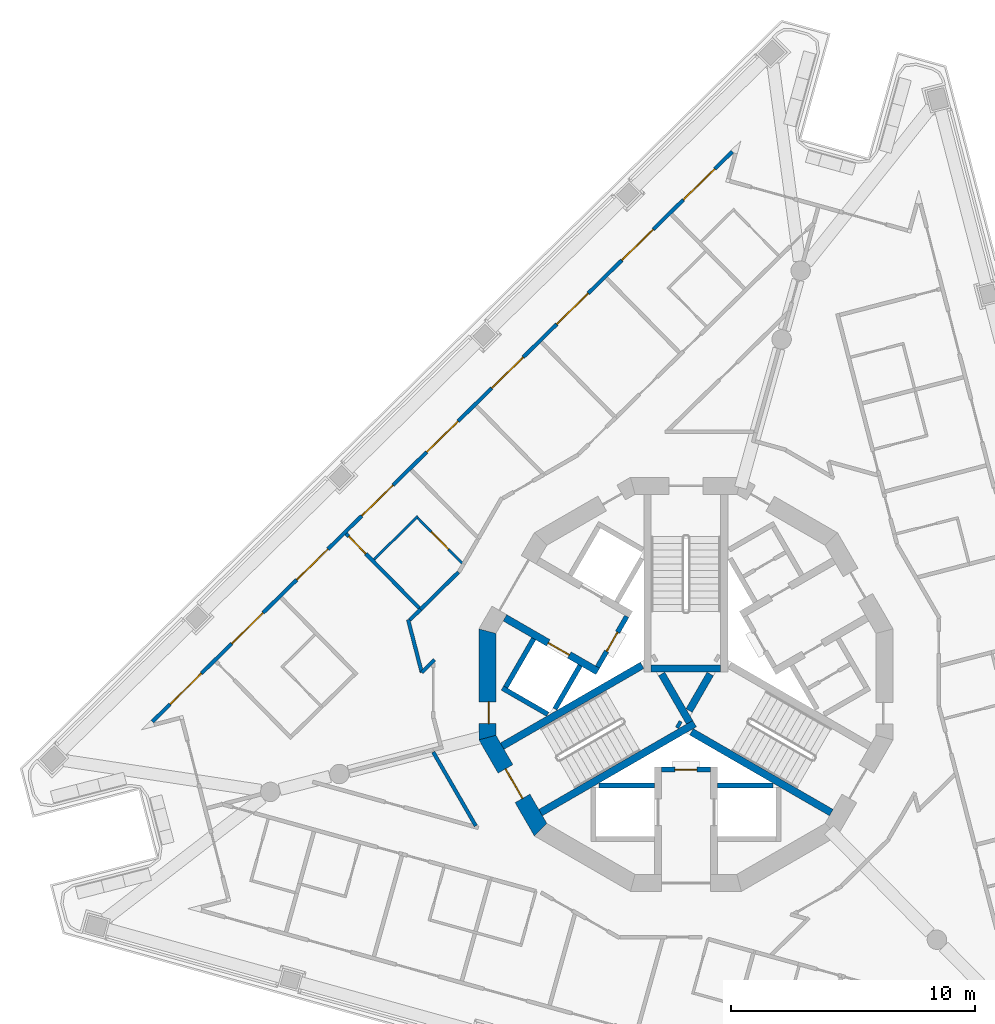
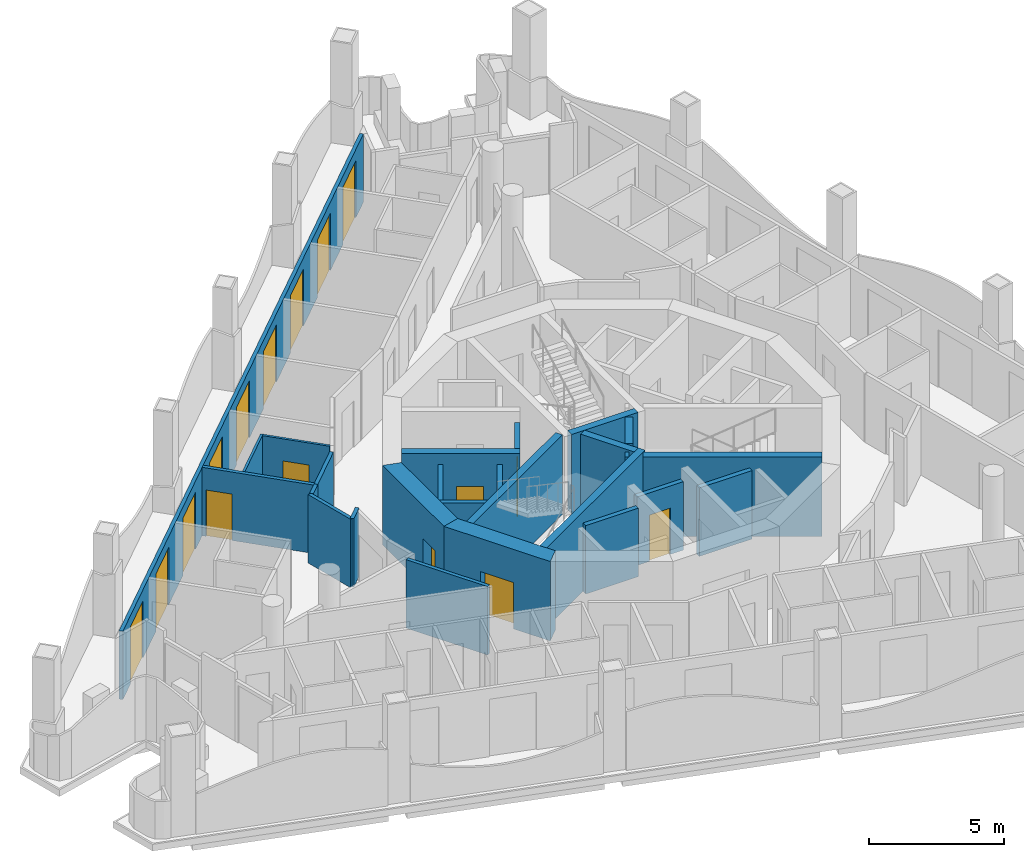
# One storey, part 4 of 15: 26 walls, 16 doors, 16 openings.
"""IFC4 building model written with IfcOpenShell, lengths in metres."""

from ifc_helpers import new_model, si_unit, direction, frame, frame_2d, origin, place, context, subcontext, project, spatial, polyline, rectangle, outline, extrude, material, layer, layer_set, type_object, element, fill, save


model = new_model("IFC4")

# Units and contexts
model_context = context("Model", 3, precision=1e-05, world=origin(), true_north=direction((0.0, 1.0)))
body_context = subcontext(model_context, "Body", "Model", "MODEL_VIEW")
ifc_project = project(units=[si_unit("LENGTHUNIT", "METRE"), si_unit("AREAUNIT", "SQUARE_METRE"), si_unit("VOLUMEUNIT", "CUBIC_METRE"), si_unit("PLANEANGLEUNIT", "RADIAN"), si_unit("MASSUNIT", "GRAM", prefix="KILO")], contexts=[model_context])

# Site, building, storey
site_placement = place(None, origin())
site = spatial("IfcSite", under=ifc_project, at=site_placement, CompositionType="ELEMENT")
building_placement = place(site_placement, origin())
building = spatial("IfcBuilding", under=site, at=building_placement, Name="Trine Commons Tower", CompositionType="ELEMENT")
storey_placement = place(building_placement, frame((0.0, 0.0, 263.699951171875)))
storey = spatial("IfcBuildingStorey", under=building, at=storey_placement, Name="L69", CompositionType="ELEMENT", Elevation=263.699951171875)

# Wall, openings, doors
ifc_material_1 = material(Name="Aluminium-framed insulated wall panel", Category="aluminium")
ifc_layer_1 = layer(ifc_material_1, 0.14990234375)
ifc_layer_set_1 = layer_set([ifc_layer_1], Name="Aluminium-framed insulated wall panel")
wall_type_1 = type_object("IfcWallType", Name="Glazed frame wall 150, EI 60", PredefinedType="SOLIDWALL", material=ifc_layer_set_1)
wall_1_placement = place(storey_placement, frame((57.98974609375, 60.867431640625, 0.0), z_axis=(0.0, 0.0, 1.0), x_axis=(0.713254682671, 0.700904956216, 0.0)))
wall_1 = element("IfcWall", 1, at=wall_1_placement, inside=storey, type_object=wall_type_1, Name="Glazed frame wall F1", PredefinedType="SOLIDWALL", context=body_context, shape_type="SweptSolid", body=[
    extrude(outline(polyline([(0.1494140625, 0.074951171875), (0.1494140625, -0.074951171875), (33.536865234375, -0.074951171875), (33.536865234375, 0.074951171875), (0.1494140625, 0.074951171875)])), origin(), (0.0, 0.0, 1.0), 3.10009765625),
])
opening_1_placement = place(wall_1_placement, frame((1.17138671875, 0.0, 0.0)))
opening_1 = element("IfcOpeningElement", 2, at=opening_1_placement, cuts=wall_1, Name="Opening BD-7F1-01", PredefinedType="OPENING", context=body_context, shape_type="SweptSolid", body=[
    extrude(rectangle(XDim=1.800048828125, YDim=2.60009765625, at=frame_2d((0.89990234375, 1.300048828125))), frame((0.0, 0.0849609375, 0.0), z_axis=(0.0, -1.0, 0.0), x_axis=(1.0, 0.0, 0.0)), (0.0, 0.0, 1.0), 0.169921875),
])
opening_2_placement = place(wall_1_placement, frame((4.71435546875, 0.0, 0.0)))
opening_2 = element("IfcOpeningElement", 3, at=opening_2_placement, cuts=wall_1, Name="Opening BD-7F1-02", PredefinedType="OPENING", context=body_context, shape_type="SweptSolid", body=[
    extrude(rectangle(XDim=1.800048828125, YDim=2.60009765625, at=frame_2d((0.89990234375, 1.300048828125))), frame((0.0, 0.0849609375, 0.0), z_axis=(0.0, -1.0, 0.0), x_axis=(1.0, 0.0, 0.0)), (0.0, 0.0, 1.0), 0.169921875),
])
opening_3_placement = place(wall_1_placement, frame((8.457275390625, 0.0, 0.0)))
opening_3 = element("IfcOpeningElement", 4, at=opening_3_placement, cuts=wall_1, Name="Opening BD-7F1-03", PredefinedType="OPENING", context=body_context, shape_type="SweptSolid", body=[
    extrude(rectangle(XDim=1.800048828125, YDim=2.60009765625, at=frame_2d((0.89990234375, 1.300048828125))), frame((0.0, 0.0849609375, 0.0), z_axis=(0.0, -1.0, 0.0), x_axis=(1.0, 0.0, 0.0)), (0.0, 0.0, 1.0), 0.169921875),
])
opening_4_placement = place(wall_1_placement, frame((12.2001953125, 0.0, 0.0)))
opening_4 = element("IfcOpeningElement", 5, at=opening_4_placement, cuts=wall_1, Name="Opening BD-7F1-04", PredefinedType="OPENING", context=body_context, shape_type="SweptSolid", body=[
    extrude(rectangle(XDim=1.800048828125, YDim=2.60009765625, at=frame_2d((0.89990234375, 1.300048828125))), frame((0.0, 0.0849609375, 0.0), z_axis=(0.0, -1.0, 0.0), x_axis=(1.0, 0.0, 0.0)), (0.0, 0.0, 1.0), 0.169921875),
])
opening_5_placement = place(wall_1_placement, frame((15.943115234375, 0.0, 0.0)))
opening_5 = element("IfcOpeningElement", 6, at=opening_5_placement, cuts=wall_1, Name="Opening BD-7F1-05", PredefinedType="OPENING", context=body_context, shape_type="SweptSolid", body=[
    extrude(rectangle(XDim=1.800048828125, YDim=2.60009765625, at=frame_2d((0.89990234375, 1.300048828125))), frame((0.0, 0.0849609375, 0.0), z_axis=(0.0, -1.0, 0.0), x_axis=(1.0, 0.0, 0.0)), (0.0, 0.0, 1.0), 0.169921875),
])
opening_6_placement = place(wall_1_placement, frame((19.68603515625, 0.0, 0.0)))
opening_6 = element("IfcOpeningElement", 7, at=opening_6_placement, cuts=wall_1, Name="Opening BD-7F1-06", PredefinedType="OPENING", context=body_context, shape_type="SweptSolid", body=[
    extrude(rectangle(XDim=1.800048828125, YDim=2.60009765625, at=frame_2d((0.89990234375, 1.300048828125))), frame((0.0, 0.0849609375, 0.0), z_axis=(0.0, -1.0, 0.0), x_axis=(1.0, 0.0, 0.0)), (0.0, 0.0, 1.0), 0.169921875),
])
opening_7_placement = place(wall_1_placement, frame((23.428955078125, 0.0, 0.0)))
opening_7 = element("IfcOpeningElement", 8, at=opening_7_placement, cuts=wall_1, Name="Opening BD-7F1-07", PredefinedType="OPENING", context=body_context, shape_type="SweptSolid", body=[
    extrude(rectangle(XDim=1.800048828125, YDim=2.60009765625, at=frame_2d((0.89990234375, 1.300048828125))), frame((0.0, 0.0849609375, 0.0), z_axis=(0.0, -1.0, 0.0), x_axis=(1.0, 0.0, 0.0)), (0.0, 0.0, 1.0), 0.169921875),
])
opening_8_placement = place(wall_1_placement, frame((27.171875, 0.0, 0.0)))
opening_8 = element("IfcOpeningElement", 9, at=opening_8_placement, cuts=wall_1, Name="Opening BD-7F1-08", PredefinedType="OPENING", context=body_context, shape_type="SweptSolid", body=[
    extrude(rectangle(XDim=1.800048828125, YDim=2.60009765625, at=frame_2d((0.89990234375, 1.300048828125))), frame((0.0, 0.0849609375, 0.0), z_axis=(0.0, -1.0, 0.0), x_axis=(1.0, 0.0, 0.0)), (0.0, 0.0, 1.0), 0.169921875),
])
opening_9_placement = place(wall_1_placement, frame((30.714599609375, 0.0, 0.0)))
opening_9 = element("IfcOpeningElement", 10, at=opening_9_placement, cuts=wall_1, Name="Opening BD-7F1-09", PredefinedType="OPENING", context=body_context, shape_type="SweptSolid", body=[
    extrude(rectangle(XDim=1.800048828125, YDim=2.60009765625, at=frame_2d((0.89990234375, 1.300048828125))), frame((0.0, 0.0849609375, 0.0), z_axis=(0.0, -1.0, 0.0), x_axis=(1.0, 0.0, 0.0)), (0.0, 0.0, 1.0), 0.169921875),
])
ifc_material_2 = material(Name="Anodised aluminium frame with double glazing", Category="aluminium")
door_type_1 = type_object("IfcDoorType", Name="Sliding loggia door 1800x2600", OperationType="SLIDING_TO_LEFT", PredefinedType="DOOR", material=ifc_material_2)
door_1_placement = place(opening_1_placement, origin())
door_1 = element("IfcDoor", 11, at=door_1_placement, inside=storey, type_object=door_type_1, Name="Loggia door F1 1", OperationType="SLIDING_TO_LEFT", OverallHeight=2.60009765625, OverallWidth=1.800048828125, PredefinedType="DOOR", context=body_context, shape_type="SweptSolid", body=[
    extrude(rectangle(XDim=1.800048828125, YDim=2.60009765625, at=frame_2d((0.89990234375, 1.300048828125))), frame((0.0, 0.02490234375, 0.0), z_axis=(0.0, -1.0, 0.0), x_axis=(1.0, 0.0, 0.0)), (0.0, 0.0, 1.0), 0.050048828125),
])
fill(opening_1, door_1)
door_2_placement = place(opening_2_placement, origin())
door_2 = element("IfcDoor", 12, at=door_2_placement, inside=storey, type_object=door_type_1, Name="Loggia door F1 2", OperationType="SLIDING_TO_LEFT", OverallHeight=2.60009765625, OverallWidth=1.800048828125, PredefinedType="DOOR", context=body_context, shape_type="SweptSolid", body=[
    extrude(rectangle(XDim=1.800048828125, YDim=2.60009765625, at=frame_2d((0.89990234375, 1.300048828125))), frame((0.0, 0.02490234375, 0.0), z_axis=(0.0, -1.0, 0.0), x_axis=(1.0, 0.0, 0.0)), (0.0, 0.0, 1.0), 0.050048828125),
])
fill(opening_2, door_2)
door_3_placement = place(opening_3_placement, origin())
door_3 = element("IfcDoor", 13, at=door_3_placement, inside=storey, type_object=door_type_1, Name="Loggia door F1 3", OperationType="SLIDING_TO_LEFT", OverallHeight=2.60009765625, OverallWidth=1.800048828125, PredefinedType="DOOR", context=body_context, shape_type="SweptSolid", body=[
    extrude(rectangle(XDim=1.800048828125, YDim=2.60009765625, at=frame_2d((0.89990234375, 1.300048828125))), frame((0.0, 0.02490234375, 0.0), z_axis=(0.0, -1.0, 0.0), x_axis=(1.0, 0.0, 0.0)), (0.0, 0.0, 1.0), 0.050048828125),
])
fill(opening_3, door_3)
door_4_placement = place(opening_4_placement, origin())
door_4 = element("IfcDoor", 14, at=door_4_placement, inside=storey, type_object=door_type_1, Name="Loggia door F1 4", OperationType="SLIDING_TO_LEFT", OverallHeight=2.60009765625, OverallWidth=1.800048828125, PredefinedType="DOOR", context=body_context, shape_type="SweptSolid", body=[
    extrude(rectangle(XDim=1.800048828125, YDim=2.60009765625, at=frame_2d((0.89990234375, 1.300048828125))), frame((0.0, 0.02490234375, 0.0), z_axis=(0.0, -1.0, 0.0), x_axis=(1.0, 0.0, 0.0)), (0.0, 0.0, 1.0), 0.050048828125),
])
fill(opening_4, door_4)
door_5_placement = place(opening_5_placement, origin())
door_5 = element("IfcDoor", 15, at=door_5_placement, inside=storey, type_object=door_type_1, Name="Loggia door F1 5", OperationType="SLIDING_TO_LEFT", OverallHeight=2.60009765625, OverallWidth=1.800048828125, PredefinedType="DOOR", context=body_context, shape_type="SweptSolid", body=[
    extrude(rectangle(XDim=1.800048828125, YDim=2.60009765625, at=frame_2d((0.89990234375, 1.300048828125))), frame((0.0, 0.02490234375, 0.0), z_axis=(0.0, -1.0, 0.0), x_axis=(1.0, 0.0, 0.0)), (0.0, 0.0, 1.0), 0.050048828125),
])
fill(opening_5, door_5)
door_6_placement = place(opening_6_placement, origin())
door_6 = element("IfcDoor", 16, at=door_6_placement, inside=storey, type_object=door_type_1, Name="Loggia door F1 6", OperationType="SLIDING_TO_LEFT", OverallHeight=2.60009765625, OverallWidth=1.800048828125, PredefinedType="DOOR", context=body_context, shape_type="SweptSolid", body=[
    extrude(rectangle(XDim=1.800048828125, YDim=2.60009765625, at=frame_2d((0.89990234375, 1.300048828125))), frame((0.0, 0.02490234375, 0.0), z_axis=(0.0, -1.0, 0.0), x_axis=(1.0, 0.0, 0.0)), (0.0, 0.0, 1.0), 0.050048828125),
])
fill(opening_6, door_6)
door_7_placement = place(opening_7_placement, origin())
door_7 = element("IfcDoor", 17, at=door_7_placement, inside=storey, type_object=door_type_1, Name="Loggia door F1 7", OperationType="SLIDING_TO_LEFT", OverallHeight=2.60009765625, OverallWidth=1.800048828125, PredefinedType="DOOR", context=body_context, shape_type="SweptSolid", body=[
    extrude(rectangle(XDim=1.800048828125, YDim=2.60009765625, at=frame_2d((0.89990234375, 1.300048828125))), frame((0.0, 0.02490234375, 0.0), z_axis=(0.0, -1.0, 0.0), x_axis=(1.0, 0.0, 0.0)), (0.0, 0.0, 1.0), 0.050048828125),
])
fill(opening_7, door_7)
door_8_placement = place(opening_8_placement, origin())
door_8 = element("IfcDoor", 18, at=door_8_placement, inside=storey, type_object=door_type_1, Name="Loggia door F1 8", OperationType="SLIDING_TO_LEFT", OverallHeight=2.60009765625, OverallWidth=1.800048828125, PredefinedType="DOOR", context=body_context, shape_type="SweptSolid", body=[
    extrude(rectangle(XDim=1.800048828125, YDim=2.60009765625, at=frame_2d((0.89990234375, 1.300048828125))), frame((0.0, 0.02490234375, 0.0), z_axis=(0.0, -1.0, 0.0), x_axis=(1.0, 0.0, 0.0)), (0.0, 0.0, 1.0), 0.050048828125),
])
fill(opening_8, door_8)
door_9_placement = place(opening_9_placement, origin())
door_9 = element("IfcDoor", 19, at=door_9_placement, inside=storey, type_object=door_type_1, Name="Loggia door F1 9", OperationType="SLIDING_TO_LEFT", OverallHeight=2.60009765625, OverallWidth=1.800048828125, PredefinedType="DOOR", context=body_context, shape_type="SweptSolid", body=[
    extrude(rectangle(XDim=1.800048828125, YDim=2.60009765625, at=frame_2d((0.89990234375, 1.300048828125))), frame((0.0, 0.02490234375, 0.0), z_axis=(0.0, -1.0, 0.0), x_axis=(1.0, 0.0, 0.0)), (0.0, 0.0, 1.0), 0.050048828125),
])
fill(opening_9, door_9)

# Wall, opening, door
ifc_material_3 = material(Name="Fire-rated gypsum shaft wall system")
ifc_layer_2 = layer(ifc_material_3, 0.199951171875)
ifc_layer_set_2 = layer_set([ifc_layer_2], Name="Fire-rated gypsum shaft wall system")
wall_type_2 = type_object("IfcWallType", Name="Lobby end wall 200 mm, EI 120", PredefinedType="PARTITIONING", material=ifc_layer_set_2)
wall_2_placement = place(storey_placement, frame((77.569091796875, 65.2890625, 0.0), z_axis=(0.0, 0.0, 1.0), x_axis=(-0.50012165622, -0.865955154139, 0.0)))
wall_2 = element("IfcWall", 20, at=wall_2_placement, inside=storey, type_object=wall_type_2, Name="Lobby end wall L69", PredefinedType="PARTITIONING", context=body_context, shape_type="SweptSolid", body=[
    extrude(rectangle(XDim=2.39990234375, YDim=0.199951171875, at=frame_2d((1.199951171875, 0.0))), origin(), (0.0, 0.0, 1.0), 3.10009765625),
])
opening_10_placement = place(wall_2_placement, frame((0.749755859375, 0.0, 0.0)))
opening_10 = element("IfcOpeningElement", 21, at=opening_10_placement, cuts=wall_2, Name="Opening K15.07", PredefinedType="OPENING", context=body_context, shape_type="SweptSolid", body=[
    extrude(rectangle(XDim=0.89990234375, YDim=2.10009765625, at=frame_2d((0.449951171875, 1.050048828125))), frame((0.0, 0.10986328125, 0.0), z_axis=(0.0, -1.0, 0.0), x_axis=(1.0, 0.0, 0.0)), (0.0, 0.0, 1.0), 0.219970703125),
])
ifc_material_4 = material(Name="Steel door leaf, fire-rated", Category="steel")
door_type_2 = type_object("IfcDoorType", Name="Riser access door, single leaf 900 x 2100, FD60", OperationType="SINGLE_SWING_LEFT", PredefinedType="DOOR", material=ifc_material_4)
door_10_placement = place(opening_10_placement, frame((0.89990234375, 0.0, 0.0), z_axis=(0.0, 0.0, 1.0), x_axis=(-1.0, 0.0, 0.0)))
door_10 = element("IfcDoor", 22, at=door_10_placement, inside=storey, type_object=door_type_2, Name="Riser door, Mechanical riser L69", OperationType="SINGLE_SWING_RIGHT", OverallHeight=2.10009765625, OverallWidth=0.89990234375, PredefinedType="DOOR", context=body_context, shape_type="SweptSolid", body=[
    extrude(rectangle(XDim=0.89990234375, YDim=2.10009765625, at=frame_2d((0.449951171875, 1.050048828125))), frame((0.0, 0.02490234375, 0.0), z_axis=(0.0, -1.0, 0.0), x_axis=(1.0, 0.0, 0.0)), (0.0, 0.0, 1.0), 0.050048828125),
])
fill(opening_10, door_10)

wall_3_placement = place(storey_placement, frame((79.0, 59.0, 0.0), z_axis=(0.0, 0.0, 1.0), x_axis=(1.0, 0.0, 0.0)))
wall_3 = element("IfcWall", 23, at=wall_3_placement, inside=storey, type_object=wall_type_2, Name="Lobby end wall L69", PredefinedType="PARTITIONING", context=body_context, shape_type="SweptSolid", body=[
    extrude(rectangle(XDim=2.0, YDim=0.199951171875, at=frame_2d((1.0, 0.0))), origin(), (0.0, 0.0, 1.0), 3.10009765625),
])
opening_11_placement = place(wall_3_placement, frame((0.550048828125, 0.0, 0.0)))
opening_11 = element("IfcOpeningElement", 24, at=opening_11_placement, cuts=wall_3, Name="Opening K15.09", PredefinedType="OPENING", context=body_context, shape_type="SweptSolid", body=[
    extrude(rectangle(XDim=0.89990234375, YDim=2.10009765625, at=frame_2d((0.449951171875, 1.050048828125))), frame((0.0, 0.10986328125, 0.0), z_axis=(0.0, -1.0, 0.0), x_axis=(1.0, 0.0, 0.0)), (0.0, 0.0, 1.0), 0.219970703125),
])
door_11_placement = place(opening_11_placement, frame((0.89990234375, 0.0, 0.0), z_axis=(0.0, 0.0, 1.0), x_axis=(-1.0, 0.0, 0.0)))
door_11 = element("IfcDoor", 25, at=door_11_placement, inside=storey, type_object=door_type_2, Name="Riser door, Communications riser L69", OperationType="SINGLE_SWING_RIGHT", OverallHeight=2.10009765625, OverallWidth=0.89990234375, PredefinedType="DOOR", context=body_context, shape_type="SweptSolid", body=[
    extrude(rectangle(XDim=0.89990234375, YDim=2.10009765625, at=frame_2d((0.449951171875, 1.050048828125))), frame((0.0, 0.02490234375, 0.0), z_axis=(0.0, -1.0, 0.0), x_axis=(1.0, 0.0, 0.0)), (0.0, 0.0, 1.0), 0.050048828125),
])
fill(opening_11, door_11)

ifc_material_5 = material(Name="Concrete C50/60", Category="concrete")
ifc_layer_3 = layer(ifc_material_5, 0.300048828125)
ifc_layer_set_3 = layer_set([ifc_layer_3], Name="Concrete C50/60")
wall_type_3 = type_object("IfcWallType", Name="RC shear wall 300 mm, C50/60", PredefinedType="SHEAR", material=ifc_layer_set_3)
wall_4_placement = place(storey_placement, frame((76.381103515625, 63.031005859375, 0.0), z_axis=(0.0, 0.0, 1.0), x_axis=(-0.866059941101, 0.499940174841, 0.0)))
wall_4 = element("IfcWall", 26, at=wall_4_placement, inside=storey, type_object=wall_type_3, Name="Core cross wall SWC-01 L69", PredefinedType="SHEAR", context=body_context, shape_type="SweptSolid", body=[
    extrude(rectangle(XDim=4.400390625, YDim=0.300048828125, at=frame_2d((2.2001953125, 0.0))), origin(), (0.0, 0.0, 1.0), 3.60009765625),
])
opening_12_placement = place(wall_4_placement, frame((1.350341796875, 0.0, 0.0)))
opening_12 = element("IfcOpeningElement", 27, at=opening_12_placement, cuts=wall_4, Name="Opening LD7", PredefinedType="OPENING", context=body_context, shape_type="SweptSolid", body=[
    extrude(rectangle(XDim=1.0, YDim=2.10009765625, at=frame_2d((0.5, 1.050048828125))), frame((0.0, 0.159912109375, 0.0), z_axis=(0.0, -1.0, 0.0), x_axis=(1.0, 0.0, 0.0)), (0.0, 0.0, 1.0), 0.320068359375),
])
ifc_material_6 = material(Name="Stainless steel sliding door leaves", Category="steel")
door_type_3 = type_object("IfcDoorType", Name="Lift landing door, centre-opening sliding 1000 x 2100, FD90", OperationType="DOUBLE_DOOR_SLIDING", PredefinedType="DOOR", material=ifc_material_6)
door_12_placement = place(opening_12_placement, origin())
door_12 = element("IfcDoor", 28, at=door_12_placement, inside=storey, type_object=door_type_3, Name="Lift landing door HR3 L69", OperationType="DOUBLE_DOOR_SLIDING", OverallHeight=2.10009765625, OverallWidth=1.0, PredefinedType="DOOR", context=body_context, shape_type="SweptSolid", body=[
    extrude(rectangle(XDim=1.0, YDim=2.10009765625, at=frame_2d((0.5, 1.050048828125))), frame((0.0, 0.02490234375, 0.0), z_axis=(0.0, -1.0, 0.0), x_axis=(1.0, 0.0, 0.0)), (0.0, 0.0, 1.0), 0.050048828125),
])
fill(opening_12, door_12)

# Walls
wall_5_placement = place(storey_placement, frame((78.199951171875, 63.280029296875, 0.0), z_axis=(0.0, 0.0, 1.0), x_axis=(-0.866009627307, -0.500027324665, 0.0)))
element("IfcWall", 29, at=wall_5_placement, inside=storey, type_object=wall_type_3, Name="Core cross wall SWC-07 L69", PredefinedType="SHEAR", context=body_context, shape_type="SweptSolid", body=[
    extrude(rectangle(XDim=6.631591796875, YDim=0.300048828125, at=frame_2d((3.31591796875, 0.0))), origin(), (0.0, 0.0, 1.0), 3.60009765625),
])
wall_6_placement = place(storey_placement, frame((79.0029296875, 62.926025390625, 0.0), z_axis=(0.0, 0.0, 1.0), x_axis=(0.499965247104, -0.866045467449, 0.0)))
element("IfcWall", 30, at=wall_6_placement, inside=storey, type_object=wall_type_3, Name="Core cross wall SWC-10 L69", PredefinedType="SHEAR", context=body_context, shape_type="SweptSolid", body=[
    extrude(rectangle(XDim=2.292236328125, YDim=0.300048828125, at=frame_2d((1.14599609375, 0.0))), origin(), (0.0, 0.0, 1.0), 3.60009765625),
])
wall_7_placement = place(storey_placement, frame((79.64599609375, 60.885986328125, 0.0), z_axis=(0.0, 0.0, 1.0), x_axis=(0.867331893649, -0.497730234424, 0.0)))
element("IfcWall", 31, at=wall_7_placement, inside=storey, type_object=wall_type_3, Name="Core cross wall SWC-11 L69", PredefinedType="SHEAR", context=body_context, shape_type="SweptSolid", body=[
    extrude(rectangle(XDim=0.148681640625, YDim=0.300048828125, at=frame_2d((0.07421875, 0.0))), origin(), (0.0, 0.0, 1.0), 3.60009765625),
])
wall_8_placement = place(storey_placement, frame((80.1298828125, 61.424072265625, 0.0), z_axis=(0.0, 0.0, 1.0), x_axis=(0.500014901547, 0.866016800201, 0.0)))
element("IfcWall", 32, at=wall_8_placement, inside=storey, type_object=wall_type_3, Name="Core cross wall SWC-12 L69", PredefinedType="SHEAR", context=body_context, shape_type="SweptSolid", body=[
    extrude(rectangle(XDim=1.734375, YDim=0.300048828125, at=frame_2d((0.8671875, 0.0))), origin(), (0.0, 0.0, 1.0), 3.60009765625),
])
wall_9_placement = place(storey_placement, frame((80.22509765625, 60.552001953125, 0.0), z_axis=(0.0, 0.0, 1.0), x_axis=(0.866009627307, -0.500027324665, 0.0)))
element("IfcWall", 33, at=wall_9_placement, inside=storey, type_object=wall_type_3, Name="Core cross wall SWC-13 L69", PredefinedType="SHEAR", context=body_context, shape_type="SweptSolid", body=[
    extrude(rectangle(XDim=6.631591796875, YDim=0.300048828125, at=frame_2d((3.31591796875, 0.0))), origin(), (0.0, 0.0, 1.0), 3.60009765625),
])
wall_10_placement = place(storey_placement, frame((80.35400390625, 60.885986328125, 0.0), z_axis=(0.0, 0.0, 1.0), x_axis=(-0.866032430508, -0.49998782916, 0.0)))
element("IfcWall", 34, at=wall_10_placement, inside=storey, type_object=wall_type_3, Name="Core cross wall SWC-14 L69", PredefinedType="SHEAR", context=body_context, shape_type="SweptSolid", body=[
    extrude(rectangle(XDim=7.300048828125, YDim=0.300048828125, at=frame_2d((3.64990234375, 0.0))), origin(), (0.0, 0.0, 1.0), 3.60009765625),
])
wall_11_placement = place(storey_placement, frame((81.425048828125, 63.15087890625, 0.0), z_axis=(0.0, 0.0, 1.0), x_axis=(-1.0, 0.0, 0.0)))
element("IfcWall", 35, at=wall_11_placement, inside=storey, type_object=wall_type_3, Name="Core cross wall SWC-16 L69", PredefinedType="SHEAR", context=body_context, shape_type="SweptSolid", body=[
    extrude(rectangle(XDim=2.85009765625, YDim=0.300048828125, at=frame_2d((1.425048828125, 0.0))), origin(), (0.0, 0.0, 1.0), 3.60009765625),
])

# Wall, opening, door
ifc_layer_4 = layer(ifc_material_5, 0.699951171875)
ifc_layer_set_4 = layer_set([ifc_layer_4], Name="Concrete C50/60")
wall_type_4 = type_object("IfcWallType", Name="RC shear wall 700 mm, C50/60", PredefinedType="SHEAR", material=ifc_layer_set_4)
wall_12_placement = place(storey_placement, frame((71.849853515625, 64.777587890625, 0.0), z_axis=(0.0, 0.0, 1.0), x_axis=(0.0, -1.0, 0.0)))
wall_12 = element("IfcWall", 36, at=wall_12_placement, inside=storey, type_object=wall_type_4, Name="Core wall CWG-07 L69", PredefinedType="SHEAR", context=body_context, shape_type="SweptSolid", body=[
    extrude(outline(polyline([(0.0, -0.35009765625), (4.55517578125, -0.35009765625), (4.36767578125, 0.35009765625), (0.1875, 0.35009765625), (0.0, -0.35009765625)])), origin(), (0.0, 0.0, 1.0), 3.60009765625),
])
opening_13_placement = place(wall_12_placement, frame((2.99169921875, 0.0, 0.0)))
opening_13 = element("IfcOpeningElement", 37, at=opening_13_placement, cuts=wall_12, Name="Opening K15.16", PredefinedType="OPENING", context=body_context, shape_type="SweptSolid", body=[
    extrude(rectangle(XDim=0.89990234375, YDim=2.10009765625, at=frame_2d((0.449951171875, 1.050048828125))), frame((0.0, 0.35986328125, 0.0), z_axis=(0.0, -1.0, 0.0), x_axis=(1.0, 0.0, 0.0)), (0.0, 0.0, 1.0), 0.719970703125),
])
door_type_4 = type_object("IfcDoorType", Name="Core room door, single leaf 900 x 2100, FD30S", OperationType="SINGLE_SWING_LEFT", PredefinedType="DOOR", material=ifc_material_4)
door_13_placement = place(opening_13_placement, origin())
door_13 = element("IfcDoor", 38, at=door_13_placement, inside=storey, type_object=door_type_4, Name="Door to Pantry L69", OperationType="SINGLE_SWING_RIGHT", OverallHeight=2.10009765625, OverallWidth=0.89990234375, PredefinedType="DOOR", context=body_context, shape_type="SweptSolid", body=[
    extrude(rectangle(XDim=0.89990234375, YDim=2.10009765625, at=frame_2d((0.449951171875, 1.050048828125))), frame((0.0, 0.0751953125, 0.0), z_axis=(0.0, -1.0, 0.0), x_axis=(1.0, 0.0, 0.0)), (0.0, 0.0, 1.0), 0.050048828125),
])
fill(opening_13, door_13)

wall_13_placement = place(storey_placement, frame((71.802978515625, 60.3974609375, 0.0), z_axis=(0.0, 0.0, 1.0), x_axis=(0.499983800959, -0.866034756103, 0.0)))
wall_13 = element("IfcWall", 39, at=wall_13_placement, inside=storey, type_object=wall_type_4, Name="Core wall CWG-08 L69", PredefinedType="SHEAR", context=body_context, shape_type="SweptSolid", body=[
    extrude(outline(polyline([(0.0, -0.35009765625), (4.55517578125, -0.35009765625), (4.36767578125, 0.35009765625), (0.1875, 0.35009765625), (0.0, -0.35009765625)])), origin(), (0.0, 0.0, 1.0), 3.60009765625),
])
opening_14_placement = place(wall_13_placement, frame((1.577392578125, 0.0, 0.0)))
opening_14 = element("IfcOpeningElement", 40, at=opening_14_placement, cuts=wall_13, Name="Opening K15.02", PredefinedType="OPENING", context=body_context, shape_type="SweptSolid", body=[
    extrude(rectangle(XDim=1.39990234375, YDim=2.10009765625, at=frame_2d((0.699951171875, 1.050048828125))), frame((0.0, 0.35986328125, 0.0), z_axis=(0.0, -1.0, 0.0), x_axis=(1.0, 0.0, 0.0)), (0.0, 0.0, 1.0), 0.719970703125),
])
ifc_material_7 = material(Name="Steel door leaves, fire-rated", Category="steel")
door_type_5 = type_object("IfcDoorType", Name="Stair door, double leaf 1400 x 2100, FD90", OperationType="DOUBLE_DOOR_SINGLE_SWING", PredefinedType="DOOR", material=ifc_material_7)
door_14_placement = place(opening_14_placement, origin())
door_14 = element("IfcDoor", 41, at=door_14_placement, inside=storey, type_object=door_type_5, Name="Stair door to Exit stair ST2C L69", OperationType="DOUBLE_DOOR_SINGLE_SWING", OverallHeight=2.10009765625, OverallWidth=1.39990234375, PredefinedType="DOOR", context=body_context, shape_type="SweptSolid", body=[
    extrude(rectangle(XDim=1.39990234375, YDim=2.10009765625, at=frame_2d((0.699951171875, 1.050048828125))), frame((0.0, 0.02490234375, 0.0), z_axis=(0.0, -1.0, 0.0), x_axis=(1.0, 0.0, 0.0)), (0.0, 0.0, 1.0), 0.050048828125),
])
fill(opening_14, door_14)

# Walls
ifc_layer_5 = layer(ifc_material_3, 0.199951171875)
ifc_layer_set_5 = layer_set([ifc_layer_5], Name="Fire-rated gypsum shaft wall system")
wall_type_5 = type_object("IfcWallType", Name="Shaft wall 200 mm, EI 120", PredefinedType="PARTITIONING", material=ifc_layer_set_5)
wall_14_placement = place(storey_placement, frame((73.7509765625, 64.3759765625, 0.0), z_axis=(0.0, 0.0, 1.0), x_axis=(-0.500136062276, -0.86594683394, 0.0)))
element("IfcWall", 42, at=wall_14_placement, inside=storey, type_object=wall_type_5, Name="Shaft wall L69", PredefinedType="PARTITIONING", context=body_context, shape_type="SweptSolid", body=[
    extrude(rectangle(XDim=2.299072265625, YDim=0.199951171875, at=frame_2d((1.1494140625, 0.0))), origin(), (0.0, 0.0, 1.0), 3.10009765625),
])
wall_15_placement = place(storey_placement, frame((74.324951171875, 61.27392578125, 0.0), z_axis=(0.0, 0.0, 1.0), x_axis=(-0.866102336459, 0.499866725018, 0.0)))
element("IfcWall", 43, at=wall_15_placement, inside=storey, type_object=wall_type_5, Name="Shaft wall L69", PredefinedType="PARTITIONING", context=body_context, shape_type="SweptSolid", body=[
    extrude(rectangle(XDim=2.1484375, YDim=0.199951171875, at=frame_2d((1.07421875, 0.0))), origin(), (0.0, 0.0, 1.0), 3.10009765625),
])
wall_16_placement = place(storey_placement, frame((75.656005859375, 63.27587890625, 0.0), z_axis=(0.0, 0.0, 1.0), x_axis=(-0.500271688072, -0.86586848777, 0.0)))
element("IfcWall", 44, at=wall_16_placement, inside=storey, type_object=wall_type_5, Name="Shaft wall L69", PredefinedType="PARTITIONING", context=body_context, shape_type="SweptSolid", body=[
    extrude(rectangle(XDim=2.064697265625, YDim=0.199951171875, at=frame_2d((1.0322265625, 0.0))), origin(), (0.0, 0.0, 1.0), 3.10009765625),
])
for number, where, z_axis, x_axis, name in (
    (45, (78.699951171875, 58.35009765625, 0.0), (0.0, 0.0, 1.0), (-1.0, 0.0, 0.0), "Shaft wall L69"),
    (46, (81.300048828125, 58.35009765625, 0.0), (0.0, 0.0, 1.0), (1.0, 0.0, 0.0), "Shaft wall L69"),
):
    element("IfcWall", number, at=place(storey_placement, frame(where, z_axis=z_axis, x_axis=x_axis)), inside=storey, type_object=wall_type_5, Name=name, PredefinedType="PARTITIONING", context=body_context, shape_type="SweptSolid", body=[
        extrude(rectangle(XDim=2.264892578125, YDim=0.199951171875, at=frame_2d((1.13232421875, 0.0))), origin(), (0.0, 0.0, 1.0), 3.10009765625),
    ])

# Wall, opening, door
ifc_material_8 = material(Name="Gypsum plasterboard on steel stud", Category="steel")
ifc_layer_6 = layer(ifc_material_8, 0.14990234375)
ifc_layer_set_6 = layer_set([ifc_layer_6], Name="Gypsum plasterboard on steel stud")
wall_type_6 = type_object("IfcWallType", Name="Unit and corridor wall 150 mm, EI 60", PredefinedType="PARTITIONING", material=ifc_layer_set_6)
wall_17_placement = place(storey_placement, frame((66.051025390625, 68.6845703125, 0.0), z_axis=(0.0, 0.0, 1.0), x_axis=(0.700808262034, -0.713349689748, 0.0)))
wall_17 = element("IfcWall", 47, at=wall_17_placement, inside=storey, type_object=wall_type_6, Name="Partition 018", PredefinedType="PARTITIONING", context=body_context, shape_type="SweptSolid", body=[
    extrude(rectangle(XDim=4.360595703125, YDim=0.14990234375, at=frame_2d((2.18017578125, 0.0))), origin(), (0.0, 0.0, 1.0), 3.10009765625),
])
opening_15_placement = place(wall_17_placement, frame((0.14990234375, 0.0, 0.0)))
opening_15 = element("IfcOpeningElement", 48, at=opening_15_placement, cuts=wall_17, Name="Opening D-7C05", PredefinedType="OPENING", context=body_context, shape_type="SweptSolid", body=[
    extrude(rectangle(XDim=1.0, YDim=2.10009765625, at=frame_2d((0.5, 1.050048828125))), frame((0.0, 0.0849609375, 0.0), z_axis=(0.0, -1.0, 0.0), x_axis=(1.0, 0.0, 0.0)), (0.0, 0.0, 1.0), 0.169921875),
])
ifc_material_9 = material(Name="Timber fire door set", Category="wood")
door_type_6 = type_object("IfcDoorType", Name="Bedroom door 1000 x 2100, FD30S", OperationType="NOTDEFINED", PredefinedType="DOOR", material=ifc_material_9)
door_15_placement = place(opening_15_placement, origin())
door_15 = element("IfcDoor", 49, at=door_15_placement, inside=storey, type_object=door_type_6, Name="Door D-7C05", OperationType="SINGLE_SWING_LEFT", OverallHeight=2.10009765625, OverallWidth=1.0, PredefinedType="DOOR", context=body_context, shape_type="SweptSolid", body=[
    extrude(rectangle(XDim=1.0, YDim=2.10009765625, at=frame_2d((0.5, 1.050048828125))), frame((0.0, 0.02490234375, 0.0), z_axis=(0.0, -1.0, 0.0), x_axis=(1.0, 0.0, 0.0)), (0.0, 0.0, 1.0), 0.050048828125),
])
fill(opening_15, door_15)

# Walls
wall_18_placement = place(storey_placement, frame((68.59326171875, 65.16162109375, 0.0), z_axis=(0.0, 0.0, 1.0), x_axis=(0.250243733249, -0.968182872173, 0.0)))
element("IfcWall", 50, at=wall_18_placement, inside=storey, type_object=wall_type_6, Name="Partition 022", PredefinedType="PARTITIONING", context=body_context, shape_type="SweptSolid", body=[
    extrude(rectangle(XDim=2.240966796875, YDim=0.14990234375, at=frame_2d((1.12060546875, 0.0))), origin(), (0.0, 0.0, 1.0), 3.10009765625),
])
wall_19_placement = place(storey_placement, frame((68.66552734375, 65.1435546875, 0.0), z_axis=(0.0, 0.0, 1.0), x_axis=(0.712591016864, 0.701579676648, 0.0)))
element("IfcWall", 51, at=wall_19_placement, inside=storey, type_object=wall_type_6, Name="Partition 023", PredefinedType="PARTITIONING", context=body_context, shape_type="SweptSolid", body=[
    extrude(rectangle(XDim=0.620849609375, YDim=0.14990234375, at=frame_2d((0.310546875, 0.0))), origin(), (0.0, 0.0, 1.0), 3.10009765625),
])
wall_20_placement = place(storey_placement, frame((69.10205078125, 65.572998046875, 0.0), z_axis=(0.0, 0.0, 1.0), x_axis=(0.713007842216, 0.701156057478, 0.0)))
element("IfcWall", 52, at=wall_20_placement, inside=storey, type_object=wall_type_6, Name="Partition 026", PredefinedType="PARTITIONING", context=body_context, shape_type="SweptSolid", body=[
    extrude(rectangle(XDim=2.18359375, YDim=0.14990234375, at=frame_2d((1.091796875, 0.0))), origin(), (0.0, 0.0, 1.0), 3.10009765625),
])
wall_21_placement = place(storey_placement, frame((69.157958984375, 62.991943359375, 0.0), z_axis=(0.0, 0.0, 1.0), x_axis=(0.712433157826, 0.701739977221, 0.0)))
element("IfcWall", 53, at=wall_21_placement, inside=storey, type_object=wall_type_6, Name="Partition 027", PredefinedType="PARTITIONING", context=body_context, shape_type="SweptSolid", body=[
    extrude(rectangle(XDim=0.730712890625, YDim=0.14990234375, at=frame_2d((0.365234375, 0.0))), origin(), (0.0, 0.0, 1.0), 3.10009765625),
])
wall_22_placement = place(storey_placement, frame((69.625, 59.719970703125, 0.0), z_axis=(0.0, 0.0, 1.0), x_axis=(0.50005889006, -0.865991400923, 0.0)))
element("IfcWall", 54, at=wall_22_placement, inside=storey, type_object=wall_type_6, Name="Partition 030", PredefinedType="PARTITIONING", context=body_context, shape_type="SweptSolid", body=[
    extrude(rectangle(XDim=3.49658203125, YDim=0.14990234375, at=frame_2d((1.748291015625, 0.0))), origin(), (0.0, 0.0, 1.0), 3.10009765625),
])
ifc_layer_7 = layer(ifc_material_8, 0.10009765625)
ifc_layer_set_7 = layer_set([ifc_layer_7], Name="Gypsum plasterboard on steel stud")
wall_type_7 = type_object("IfcWallType", Name="Unit partition 100 mm, no rating", PredefinedType="PARTITIONING", material=ifc_layer_set_7)
wall_23_placement = place(storey_placement, frame((67.193603515625, 67.628662109375, 0.0), z_axis=(0.0, 0.0, 1.0), x_axis=(0.713364419001, 0.700793268877, 0.0)))
element("IfcWall", 55, at=wall_23_placement, inside=storey, type_object=wall_type_7, Name="Partition 019", PredefinedType="PARTITIONING", context=body_context, shape_type="SweptSolid", body=[
    extrude(rectangle(XDim=2.524658203125, YDim=0.10009765625, at=frame_2d((1.26220703125, 0.0))), origin(), (0.0, 0.0, 1.0), 3.10009765625),
])

# Wall, opening, door
wall_24_placement = place(storey_placement, frame((68.993896484375, 69.327392578125, 0.0), z_axis=(0.0, 0.0, 1.0), x_axis=(0.700815030045, -0.713343040663, 0.0)))
wall_24 = element("IfcWall", 56, at=wall_24_placement, inside=storey, type_object=wall_type_7, Name="Partition 025", PredefinedType="PARTITIONING", context=body_context, shape_type="SweptSolid", body=[
    extrude(rectangle(XDim=2.591796875, YDim=0.10009765625, at=frame_2d((1.2958984375, 0.0))), origin(), (0.0, 0.0, 1.0), 3.10009765625),
])
opening_16_placement = place(wall_24_placement, frame((0.7958984375, 0.0, 0.0)))
opening_16 = element("IfcOpeningElement", 57, at=opening_16_placement, cuts=wall_24, Name="Opening D-7C30", PredefinedType="OPENING", context=body_context, shape_type="SweptSolid", body=[
    extrude(rectangle(XDim=1.0, YDim=2.10009765625, at=frame_2d((0.5, 1.050048828125))), frame((0.0, 0.06005859375, 0.0), z_axis=(0.0, -1.0, 0.0), x_axis=(1.0, 0.0, 0.0)), (0.0, 0.0, 1.0), 0.1201171875),
])
ifc_material_10 = material(Name="Painted timber", Category="wood")
door_type_7 = type_object("IfcDoorType", Name="Internal door 1000 x 2100, NOT RATED", OperationType="NOTDEFINED", PredefinedType="DOOR", material=ifc_material_10)
door_16_placement = place(opening_16_placement, origin())
door_16 = element("IfcDoor", 58, at=door_16_placement, inside=storey, type_object=door_type_7, Name="Door D-7C30", OperationType="SINGLE_SWING_LEFT", OverallHeight=2.10009765625, OverallWidth=1.0, PredefinedType="DOOR", context=body_context, shape_type="SweptSolid", body=[
    extrude(rectangle(XDim=1.0, YDim=2.10009765625, at=frame_2d((0.5, 1.050048828125))), frame((0.0, 0.02490234375, 0.0), z_axis=(0.0, -1.0, 0.0), x_axis=(1.0, 0.0, 0.0)), (0.0, 0.0, 1.0), 0.050048828125),
])
fill(opening_16, door_16)

save(model, "model.ifc")
